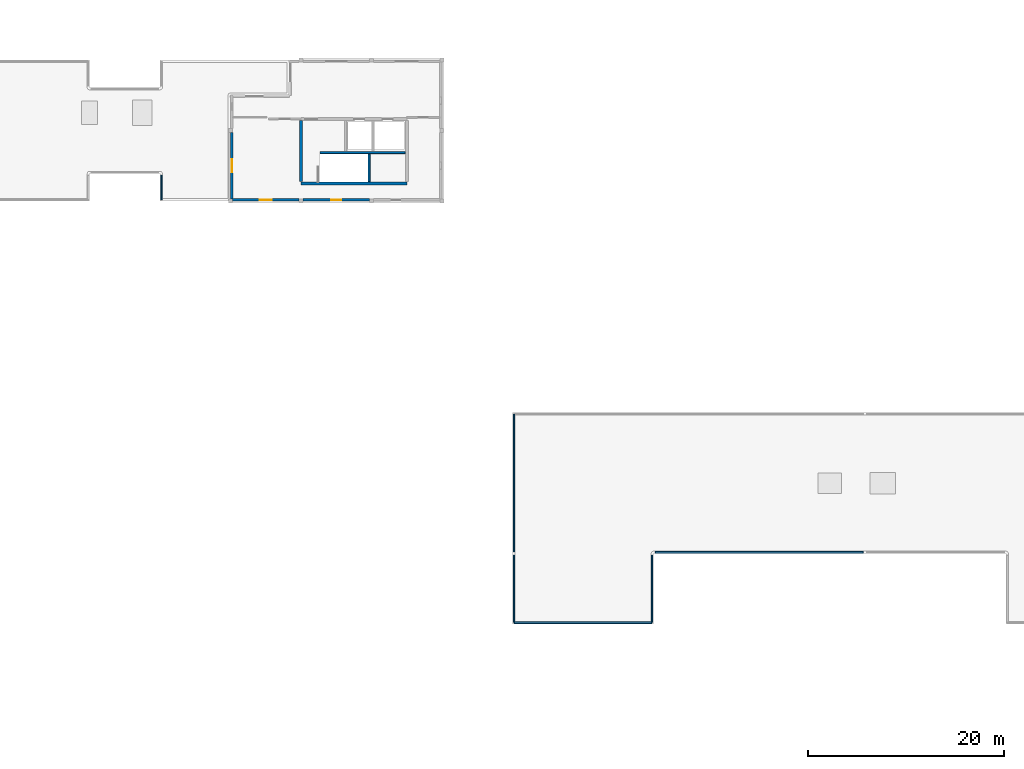
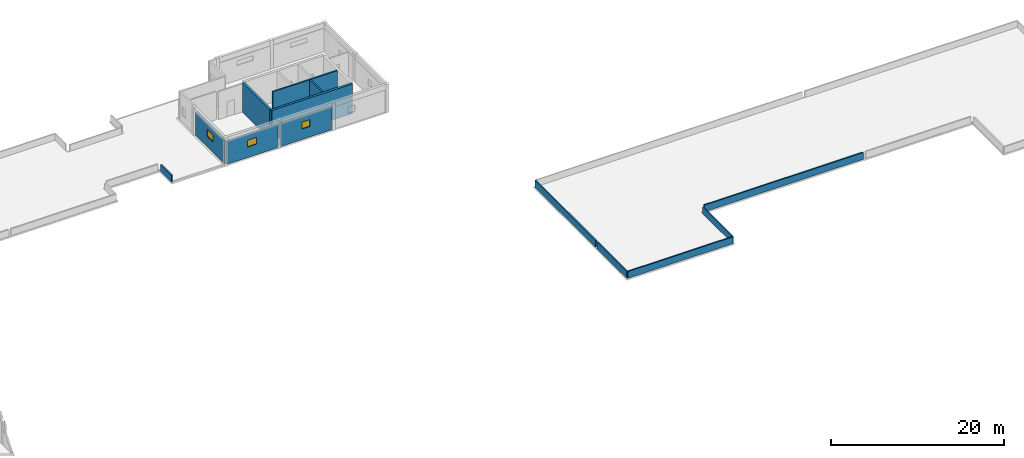
# One storey, part 6 of 15: 13 walls, 3 windows, 3 openings.
"""IFC4 building model written with IfcOpenShell, lengths in metres."""

from ifc_helpers import new_model, si_unit, direction, frame, frame_2d, origin, place, context, subcontext, project, spatial, rectangle, extrude, material, layer, layer_set, type_object, element, fill, save


model = new_model("IFC4")

# Units and contexts
model_context = context("Model", 3, precision=1e-05, world=origin(), true_north=direction((0.0, 1.0)))
body_context = subcontext(model_context, "Body", "Model", "MODEL_VIEW")
ifc_project = project(units=[si_unit("LENGTHUNIT", "METRE"), si_unit("AREAUNIT", "SQUARE_METRE"), si_unit("VOLUMEUNIT", "CUBIC_METRE"), si_unit("PLANEANGLEUNIT", "RADIAN"), si_unit("MASSUNIT", "GRAM", prefix="KILO")], contexts=[model_context])

# Site, building, storey
site_placement = place(None, origin())
site = spatial("IfcSite", under=ifc_project, at=site_placement, CompositionType="ELEMENT")
building_placement = place(site_placement, origin())
building = spatial("IfcBuilding", under=site, at=building_placement, Name="Bramvelor Terrace Health Centre", CompositionType="ELEMENT")
storey_placement = place(building_placement, frame((0.0, 0.0, 13.5)))
storey = spatial("IfcBuildingStorey", under=building, at=storey_placement, Name="L04", CompositionType="ELEMENT", Elevation=13.5)

# Walls
ifc_material_1 = material(Name="Concrete C40/50", Category="concrete")
ifc_layer_1 = layer(ifc_material_1, 0.199951171875)
ifc_layer_set_1 = layer_set([ifc_layer_1], Name="Concrete C40/50")
wall_type_1 = type_object("IfcWallType", Name="WL-CORE-200", PredefinedType="SHEAR", material=ifc_layer_set_1)
wall_1_placement = place(storey_placement, frame((81.14990234375, 91.35009765625, 0.0), z_axis=(0.0, 0.0, 1.0), x_axis=(1.0, 0.0, 0.0)))
element("IfcWall", 1, at=wall_1_placement, inside=storey, type_object=wall_type_1, Name="C4 L04 Core Shear Wall", PredefinedType="SHEAR", context=body_context, shape_type="SweptSolid", body=[
    extrude(rectangle(XDim=8.670166015625, YDim=0.199951171875, at=frame_2d((4.3349609375, 0.0))), origin(), (0.0, 0.0, 1.0), 4.199951171875),
])
wall_2_placement = place(storey_placement, frame((86.155029296875, 88.3798828125, 0.0), z_axis=(0.0, 0.0, 1.0), x_axis=(0.0, 1.0, 0.0)))
element("IfcWall", 2, at=wall_2_placement, inside=storey, type_object=wall_type_1, Name="C4 L04 Core Shear Wall", PredefinedType="SHEAR", context=body_context, shape_type="SweptSolid", body=[
    extrude(rectangle(XDim=2.85009765625, YDim=0.199951171875, at=frame_2d((1.425048828125, 0.0))), origin(), (0.0, 0.0, 1.0), 4.199951171875),
])
ifc_material_2 = material(Name="Concrete C40/50", Category="concrete")
ifc_layer_2 = layer(ifc_material_2, 0.300048828125)
ifc_layer_set_2 = layer_set([ifc_layer_2], Name="Concrete C40/50")
wall_type_2 = type_object("IfcWallType", Name="WL-CORE-300", PredefinedType="SHEAR", material=ifc_layer_set_2)
wall_3_placement = place(storey_placement, frame((79.199951171875, 88.199951171875, 0.0), z_axis=(0.0, 0.0, 1.0), x_axis=(1.0, 0.0, 0.0)))
element("IfcWall", 3, at=wall_3_placement, inside=storey, type_object=wall_type_2, Name="C4 L04 Core Shear Wall", PredefinedType="SHEAR", context=body_context, shape_type="SweptSolid", body=[
    extrude(rectangle(XDim=10.800048828125, YDim=0.300048828125, at=frame_2d((5.39990234375, 0.0))), origin(), (0.0, 0.0, 1.0), 4.199951171875),
])
wall_4_placement = place(storey_placement, frame((79.199951171875, 88.3798828125, 0.0), z_axis=(0.0, 0.0, 1.0), x_axis=(0.0, 1.0, 0.0)))
element("IfcWall", 4, at=wall_4_placement, inside=storey, type_object=wall_type_2, Name="C4 L04 Core Shear Wall", PredefinedType="SHEAR", context=body_context, shape_type="SweptSolid", body=[
    extrude(rectangle(XDim=6.240234375, YDim=0.300048828125, at=frame_2d((3.1201171875, 0.0))), origin(), (0.0, 0.0, 1.0), 4.199951171875),
])

# Wall, opening, window
ifc_material_3 = material(Name="Cross-laminated timber C24", Category="wood")
ifc_layer_3 = layer(ifc_material_3, 0.219970703125)
ifc_layer_set_3 = layer_set([ifc_layer_3], Name="Cross-laminated timber C24")
wall_type_3 = type_object("IfcWallType", Name="WL-EXT-CLT220", PredefinedType="SOLIDWALL", material=ifc_layer_set_3)
wall_5_placement = place(storey_placement, frame((86.195068359375, 86.530029296875, 0.0), z_axis=(0.0, 0.0, 1.0), x_axis=(-1.0, 0.0, 0.0)))
wall_5 = element("IfcWall", 5, at=wall_5_placement, inside=storey, type_object=wall_type_3, Name="L04 Exterior Facade Wall 24", PredefinedType="SOLIDWALL", context=body_context, shape_type="SweptSolid", body=[
    extrude(rectangle(XDim=6.7900390625, YDim=0.219970703125, at=frame_2d((3.39501953125, 0.0))), origin(), (0.0, 0.0, 1.0), 3.27001953125),
])
opening_1_placement = place(wall_5_placement, frame((2.8701171875, 0.0, 1.5)))
opening_1 = element("IfcOpeningElement", 6, at=opening_1_placement, cuts=wall_5, Name="Opening WN-15", PredefinedType="OPENING", context=body_context, shape_type="SweptSolid", body=[
    extrude(rectangle(XDim=1.050048828125, YDim=0.949951171875, at=frame_2d((0.52490234375, 0.47509765625))), frame((0.0, 0.119873046875, 0.0), z_axis=(0.0, -1.0, 0.0), x_axis=(1.0, 0.0, 0.0)), (0.0, 0.0, 1.0), 0.239990234375),
])
ifc_material_4 = material(Name="Double low-E laminated glass", Category="glass")
window_type_1 = type_object("IfcWindowType", Name="WIN-EXT-15", PartitioningType="SINGLE_PANEL", PredefinedType="WINDOW", material=ifc_material_4)
window_1_placement = place(opening_1_placement, origin())
window_1 = element("IfcWindow", 7, at=window_1_placement, inside=storey, type_object=window_type_1, Name="L04 Scheduled Clinical Window 195", OverallHeight=0.949951171875, OverallWidth=1.050048828125, PartitioningType="SINGLE_PANEL", PredefinedType="WINDOW", context=body_context, shape_type="SweptSolid", body=[
    extrude(rectangle(XDim=1.050048828125, YDim=0.949951171875, at=frame_2d((0.52490234375, 0.47509765625))), frame((0.0, 0.030029296875, 0.0), z_axis=(0.0, -1.0, 0.0), x_axis=(1.0, 0.0, 0.0)), (0.0, 0.0, 1.0), 0.06005859375),
])
fill(opening_1, window_1)

wall_6_placement = place(storey_placement, frame((78.9951171875, 86.530029296875, 0.0), z_axis=(0.0, 0.0, 1.0), x_axis=(-1.0, 0.0, 0.0)))
wall_6 = element("IfcWall", 8, at=wall_6_placement, inside=storey, type_object=wall_type_3, Name="L04 Exterior Facade Wall 25", PredefinedType="SOLIDWALL", context=body_context, shape_type="SweptSolid", body=[
    extrude(rectangle(XDim=6.7900390625, YDim=0.219970703125, at=frame_2d((3.39501953125, 0.0))), origin(), (0.0, 0.0, 1.0), 3.27001953125),
])
opening_2_placement = place(wall_6_placement, frame((2.794921875, 0.0, 1.5)))
opening_2 = element("IfcOpeningElement", 9, at=opening_2_placement, cuts=wall_6, Name="Opening WN-16", PredefinedType="OPENING", context=body_context, shape_type="SweptSolid", body=[
    extrude(rectangle(XDim=1.199951171875, YDim=0.949951171875, at=frame_2d((0.60009765625, 0.47509765625))), frame((0.0, 0.119873046875, 0.0), z_axis=(0.0, -1.0, 0.0), x_axis=(1.0, 0.0, 0.0)), (0.0, 0.0, 1.0), 0.239990234375),
])
ifc_material_5 = material(Name="Double low-E laminated glass", Category="glass")
window_type_2 = type_object("IfcWindowType", Name="WIN-EXT-16", PartitioningType="SINGLE_PANEL", PredefinedType="WINDOW", material=ifc_material_5)
window_2_placement = place(opening_2_placement, origin())
window_2 = element("IfcWindow", 10, at=window_2_placement, inside=storey, type_object=window_type_2, Name="L04 Scheduled Clinical Window 196", OverallHeight=0.949951171875, OverallWidth=1.199951171875, PartitioningType="SINGLE_PANEL", PredefinedType="WINDOW", context=body_context, shape_type="SweptSolid", body=[
    extrude(rectangle(XDim=1.199951171875, YDim=0.949951171875, at=frame_2d((0.60009765625, 0.47509765625))), frame((0.0, 0.030029296875, 0.0), z_axis=(0.0, -1.0, 0.0), x_axis=(1.0, 0.0, 0.0)), (0.0, 0.0, 1.0), 0.06005859375),
])
fill(opening_2, window_2)

wall_7_placement = place(storey_placement, frame((72.1298828125, 86.60498046875, 0.0), z_axis=(0.0, 0.0, 1.0), x_axis=(0.0, 1.0, 0.0)))
wall_7 = element("IfcWall", 11, at=wall_7_placement, inside=storey, type_object=wall_type_3, Name="L04 Exterior Facade Wall 26", PredefinedType="SOLIDWALL", context=body_context, shape_type="SweptSolid", body=[
    extrude(rectangle(XDim=6.7900390625, YDim=0.219970703125, at=frame_2d((3.39501953125, 0.0))), origin(), (0.0, 0.0, 1.0), 3.27001953125),
])
opening_3_placement = place(wall_7_placement, frame((2.719970703125, 0.0, 1.5)))
opening_3 = element("IfcOpeningElement", 12, at=opening_3_placement, cuts=wall_7, Name="Opening WN-17", PredefinedType="OPENING", context=body_context, shape_type="SweptSolid", body=[
    extrude(rectangle(XDim=1.35009765625, YDim=0.949951171875, at=frame_2d((0.675048828125, 0.47509765625))), frame((0.0, 0.119873046875, 0.0), z_axis=(0.0, -1.0, 0.0), x_axis=(1.0, 0.0, 0.0)), (0.0, 0.0, 1.0), 0.239990234375),
])
ifc_material_6 = material(Name="Double low-E laminated glass", Category="glass")
window_type_3 = type_object("IfcWindowType", Name="WIN-EXT-17", PartitioningType="SINGLE_PANEL", PredefinedType="WINDOW", material=ifc_material_6)
window_3_placement = place(opening_3_placement, origin())
window_3 = element("IfcWindow", 13, at=window_3_placement, inside=storey, type_object=window_type_3, Name="L04 Scheduled Clinical Window 197", OverallHeight=0.949951171875, OverallWidth=1.35009765625, PartitioningType="SINGLE_PANEL", PredefinedType="WINDOW", context=body_context, shape_type="SweptSolid", body=[
    extrude(rectangle(XDim=1.35009765625, YDim=0.949951171875, at=frame_2d((0.675048828125, 0.47509765625))), frame((0.0, 0.030029296875, 0.0), z_axis=(0.0, -1.0, 0.0), x_axis=(1.0, 0.0, 0.0)), (0.0, 0.0, 1.0), 0.06005859375),
])
fill(opening_3, window_3)

# Walls
ifc_material_7 = material(Name="Precast concrete C40/50", Category="concrete")
ifc_layer_4 = layer(ifc_material_7, 0.155029296875)
ifc_layer_set_4 = layer_set([ifc_layer_4], Name="Precast concrete C40/50")
wall_type_4 = type_object("IfcWallType", Name="WL-PAR-155", PredefinedType="PARAPET", material=ifc_layer_set_4)
for number, where, z_axis, x_axis, name in (
    (14, (115.06005859375, 50.239990234375, 0.0), (0.0, 0.0, 1.0), (0.0, -1.0, 0.0), "L04 Roof Parapet Upstand 9"),
    (15, (100.93994140625, 43.360107421875, 0.0), (0.0, 0.0, 1.0), (0.0, 1.0, 0.0), "L04 Roof Parapet Upstand 11"),
):
    element("IfcWall", number, at=place(storey_placement, frame(where, z_axis=z_axis, x_axis=x_axis)), inside=storey, type_object=wall_type_4, Name=name, PredefinedType="PARAPET", context=body_context, shape_type="SweptSolid", body=[
        extrude(rectangle(XDim=6.8798828125, YDim=0.155029296875, at=frame_2d((3.43994140625, 0.0))), origin(), (0.0, 0.0, 1.0), 0.949951171875),
    ])
ifc_material_8 = material(Name="Precast concrete C40/50", Category="concrete")
ifc_layer_5 = layer(ifc_material_8, 0.175048828125)
ifc_layer_set_5 = layer_set([ifc_layer_5], Name="Precast concrete C40/50")
wall_type_5 = type_object("IfcWallType", Name="WL-PAR-175", PredefinedType="PARAPET", material=ifc_layer_set_5)
wall_8_placement = place(storey_placement, frame((136.639892578125, 50.5400390625, 0.0), z_axis=(0.0, 0.0, 1.0), x_axis=(-1.0, 0.0, 0.0)))
element("IfcWall", 16, at=wall_8_placement, inside=storey, type_object=wall_type_5, Name="L04 Roof Parapet Upstand 8", PredefinedType="PARAPET", context=body_context, shape_type="SweptSolid", body=[
    extrude(rectangle(XDim=21.27978515625, YDim=0.175048828125, at=frame_2d((10.639892578125, 0.0))), origin(), (0.0, 0.0, 1.0), 0.949951171875),
])
wall_9_placement = place(storey_placement, frame((115.0400390625, 43.340087890625, 0.0), z_axis=(0.0, 0.0, 1.0), x_axis=(-1.0, 0.0, 0.0)))
element("IfcWall", 17, at=wall_9_placement, inside=storey, type_object=wall_type_5, Name="L04 Roof Parapet Upstand 10", PredefinedType="PARAPET", context=body_context, shape_type="SweptSolid", body=[
    extrude(rectangle(XDim=14.080078125, YDim=0.175048828125, at=frame_2d((7.0400390625, 0.0))), origin(), (0.0, 0.0, 1.0), 0.949951171875),
])
wall_10_placement = place(storey_placement, frame((100.93994140625, 50.56005859375, 0.0), z_axis=(0.0, 0.0, 1.0), x_axis=(0.0, 1.0, 0.0)))
element("IfcWall", 18, at=wall_10_placement, inside=storey, type_object=wall_type_5, Name="L04 Roof Parapet Upstand 12", PredefinedType="PARAPET", context=body_context, shape_type="SweptSolid", body=[
    extrude(rectangle(XDim=14.079833984375, YDim=0.175048828125, at=frame_2d((7.0400390625, 0.0))), origin(), (0.0, 0.0, 1.0), 0.949951171875),
])
wall_11_placement = place(storey_placement, frame((64.93994140625, 86.56005859375, 0.0), z_axis=(0.0, 0.0, 1.0), x_axis=(0.0, 1.0, 0.0)))
element("IfcWall", 19, at=wall_11_placement, inside=storey, type_object=wall_type_5, Name="L04 Roof Parapet Upstand 20", PredefinedType="PARAPET", context=body_context, shape_type="SweptSolid", body=[
    extrude(rectangle(XDim=2.47998046875, YDim=0.175048828125, at=frame_2d((1.239990234375, 0.0))), origin(), (0.0, 0.0, 1.0), 0.949951171875),
])

save(model, "model.ifc")
